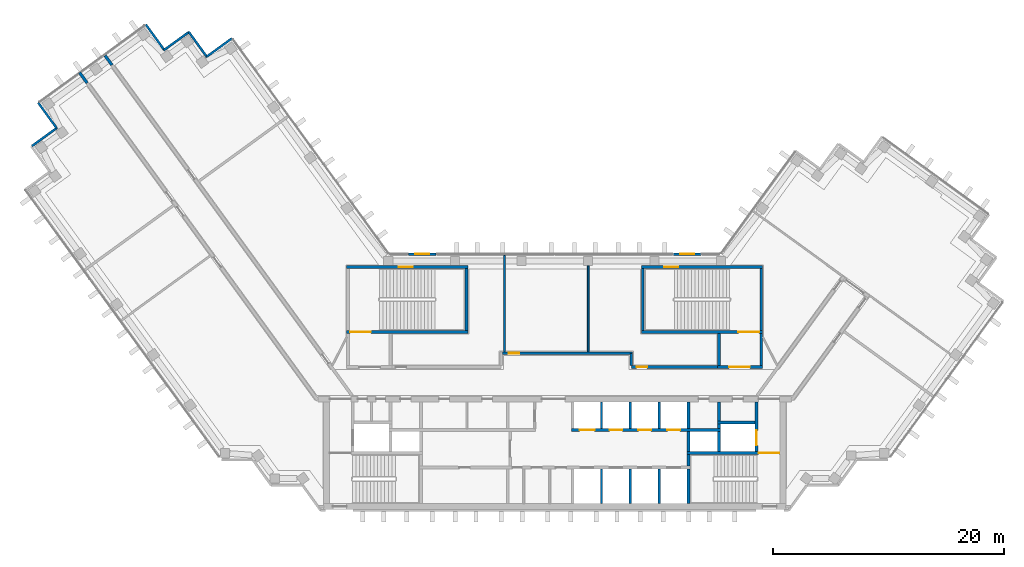
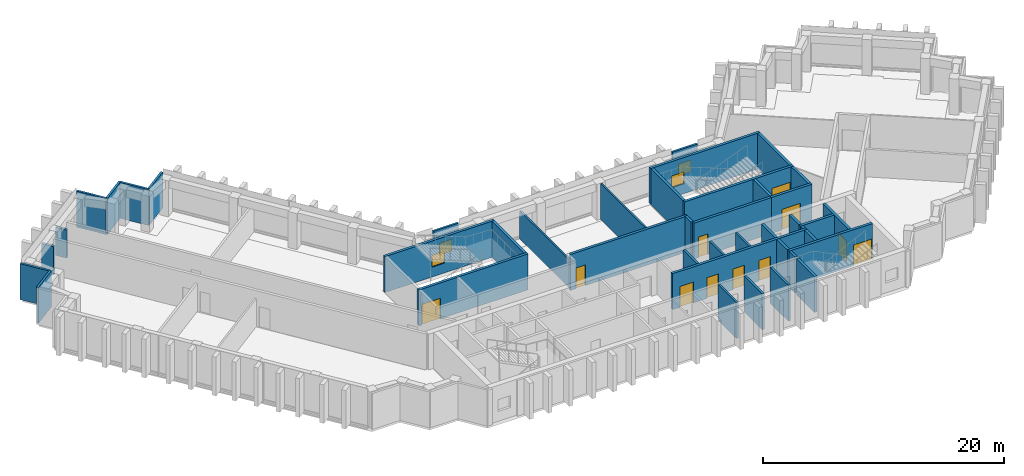
# One storey, part 6 of 9: 42 walls, 11 doors, 4 windows, 15 openings.
"""IFC4 building model written with IfcOpenShell, lengths in metres."""

from ifc_helpers import new_model, si_unit, direction, frame, frame_2d, origin, place, context, subcontext, project, spatial, rectangle, extrude, material, layer, layer_set, type_object, element, fill, save


model = new_model("IFC4")

# Units and contexts
model_context = context("Model", 3, precision=1e-05, world=origin(), true_north=direction((0.0, 1.0)))
body_context = subcontext(model_context, "Body", "Model", "MODEL_VIEW")
ifc_project = project(units=[si_unit("LENGTHUNIT", "METRE"), si_unit("AREAUNIT", "SQUARE_METRE"), si_unit("VOLUMEUNIT", "CUBIC_METRE"), si_unit("PLANEANGLEUNIT", "RADIAN"), si_unit("MASSUNIT", "GRAM", prefix="KILO")], contexts=[model_context])

# Site, building, storey
site_placement = place(None, origin())
site = spatial("IfcSite", under=ifc_project, at=site_placement, CompositionType="ELEMENT")
building_placement = place(site_placement, origin())
building = spatial("IfcBuilding", under=site, at=building_placement, Name="Quipu Civic Tower", CompositionType="ELEMENT")
storey_placement = place(building_placement, frame((0.0, 0.0, 230.0)))
storey = spatial("IfcBuildingStorey", under=building, at=storey_placement, Name="L54", CompositionType="ELEMENT", Elevation=230.0)

# Walls
ifc_material_1 = material(Name="Double gypsum plasterboard with mineral wool")
ifc_layer_1 = layer(ifc_material_1, 0.14990234375)
ifc_layer_set_1 = layer_set([ifc_layer_1], Name="Double gypsum plasterboard with mineral wool")
wall_type_1 = type_object("IfcWallType", Name="Acoustic partition 150 plasterboard", PredefinedType="PARTITIONING", material=ifc_layer_set_1)
wall_1_placement = place(storey_placement, frame((-4.339111328125, 2.64990234375, 0.0), z_axis=(0.0, 0.0, 1.0), x_axis=(0.0, 1.0, 0.0)))
element("IfcWall", 1, at=wall_1_placement, inside=storey, type_object=wall_type_1, Name="Partition P03", PredefinedType="PARTITIONING", context=body_context, shape_type="SweptSolid", body=[
    extrude(rectangle(XDim=8.35009765625, YDim=0.14990234375, at=frame_2d((4.175048828125, 0.0))), origin(), (0.0, 0.0, 1.0), 2.85009765625),
])
wall_2_placement = place(storey_placement, frame((2.89892578125, 10.094970703125, 0.0), z_axis=(0.0, 0.0, 1.0), x_axis=(0.0, -1.0, 0.0)))
element("IfcWall", 2, at=wall_2_placement, inside=storey, type_object=wall_type_1, Name="Partition P04", PredefinedType="PARTITIONING", context=body_context, shape_type="SweptSolid", body=[
    extrude(rectangle(XDim=7.445068359375, YDim=0.14990234375, at=frame_2d((3.72265625, 0.0))), origin(), (0.0, 0.0, 1.0), 3.64990234375),
])
ifc_material_2 = material(Name="Concrete C70/85", Category="concrete")
ifc_layer_2 = layer(ifc_material_2, 0.25)
ifc_layer_set_2 = layer_set([ifc_layer_2], Name="Concrete C70/85")
wall_type_2 = type_object("IfcWallType", Name="Core wall 250", PredefinedType="SHEAR", material=ifc_layer_set_2)
wall_3_placement = place(storey_placement, frame((11.574951171875, -10.5, 0.0), z_axis=(0.0, 0.0, 1.0), x_axis=(0.0, 1.0, 0.0)))
element("IfcWall", 3, at=wall_3_placement, inside=storey, type_object=wall_type_2, Name="Core wall", PredefinedType="SHEAR", context=body_context, shape_type="SweptSolid", body=[
    extrude(rectangle(XDim=3.0, YDim=0.25, at=frame_2d((1.5, 0.0))), origin(), (0.0, 0.0, 1.0), 3.64990234375),
])
wall_4_placement = place(storey_placement, frame((11.574951171875, -7.25, 0.0), z_axis=(0.0, 0.0, 1.0), x_axis=(0.0, 1.0, 0.0)))
element("IfcWall", 4, at=wall_4_placement, inside=storey, type_object=wall_type_2, Name="Core wall", PredefinedType="SHEAR", context=body_context, shape_type="SweptSolid", body=[
    extrude(rectangle(XDim=1.0, YDim=0.25, at=frame_2d((0.5, 0.0))), origin(), (0.0, 0.0, 1.0), 3.64990234375),
])

# Wall, opening, door
wall_5_placement = place(storey_placement, frame((19.5, -6.125, 0.0), z_axis=(0.0, 0.0, 1.0), x_axis=(-1.0, 0.0, 0.0)))
wall_5 = element("IfcWall", 5, at=wall_5_placement, inside=storey, type_object=wall_type_2, Name="Core wall", PredefinedType="SHEAR", context=body_context, shape_type="SweptSolid", body=[
    extrude(rectangle(XDim=8.050048828125, YDim=0.25, at=frame_2d((4.02490234375, 0.0))), origin(), (0.0, 0.0, 1.0), 3.64990234375),
])
opening_1_placement = place(wall_5_placement, frame((0.050048828125, 0.0, 0.0)))
opening_1 = element("IfcOpeningElement", 6, at=opening_1_placement, cuts=wall_5, Name="Opening CD-06", PredefinedType="OPENING", context=body_context, shape_type="SweptSolid", body=[
    extrude(rectangle(XDim=1.800048828125, YDim=2.10009765625, at=frame_2d((0.89990234375, 1.050048828125))), frame((0.0, 0.135009765625, 0.0), z_axis=(0.0, -1.0, 0.0), x_axis=(1.0, 0.0, 0.0)), (0.0, 0.0, 1.0), 0.27001953125),
])
ifc_material_3 = material(Name="Fire rated steel door", Category="steel")
door_type_1 = type_object("IfcDoorType", Name="Fire door FD90 double 1800 x 2100", OperationType="NOTDEFINED", PredefinedType="DOOR", material=ifc_material_3)
door_1_placement = place(opening_1_placement, origin())
door_1 = element("IfcDoor", 7, at=door_1_placement, inside=storey, type_object=door_type_1, Name="Door", OperationType="DOUBLE_DOOR_SINGLE_SWING", OverallHeight=2.10009765625, OverallWidth=1.800048828125, PredefinedType="DOOR", context=body_context, shape_type="SweptSolid", body=[
    extrude(rectangle(XDim=1.800048828125, YDim=2.10009765625, at=frame_2d((0.89990234375, 1.050048828125))), frame((0.0, 0.02490234375, 0.0), z_axis=(0.0, -1.0, 0.0), x_axis=(1.0, 0.0, 0.0)), (0.0, 0.0, 1.0), 0.050048828125),
])
fill(opening_1, door_1)

# Walls
for number, where, z_axis, x_axis, name in (
    (8, (11.574951171875, -6.0, 0.0), (0.0, 0.0, 1.0), (0.0, 1.0, 0.0), "Core wall"),
    (9, (14.22509765625, -6.0, 0.0), (0.0, 0.0, 1.0), (0.0, 1.0, 0.0), "Core wall"),
):
    element("IfcWall", number, at=place(storey_placement, frame(where, z_axis=z_axis, x_axis=x_axis)), inside=storey, type_object=wall_type_2, Name=name, PredefinedType="SHEAR", context=body_context, shape_type="SweptSolid", body=[
        extrude(rectangle(XDim=1.75, YDim=0.25, at=frame_2d((0.875, 0.0))), origin(), (0.0, 0.0, 1.0), 3.64990234375),
    ])

# Wall, opening, door
wall_6_placement = place(storey_placement, frame((17.47509765625, -6.0, 0.0), z_axis=(0.0, 0.0, 1.0), x_axis=(0.0, 1.0, 0.0)))
wall_6 = element("IfcWall", 10, at=wall_6_placement, inside=storey, type_object=wall_type_2, Name="Core wall", PredefinedType="SHEAR", context=body_context, shape_type="SweptSolid", body=[
    extrude(rectangle(XDim=4.300048828125, YDim=0.25, at=frame_2d((2.14990234375, 0.0))), origin(), (0.0, 0.0, 1.0), 3.64990234375),
])
opening_2_placement = place(wall_6_placement, frame((0.550048828125, 0.0, 0.0)))
opening_2 = element("IfcOpeningElement", 11, at=opening_2_placement, cuts=wall_6, Name="Opening LD-FF2", PredefinedType="OPENING", context=body_context, shape_type="SweptSolid", body=[
    extrude(rectangle(XDim=1.300048828125, YDim=2.10009765625, at=frame_2d((0.64990234375, 1.050048828125))), frame((0.0, 0.135009765625, 0.0), z_axis=(0.0, -1.0, 0.0), x_axis=(1.0, 0.0, 0.0)), (0.0, 0.0, 1.0), 0.27001953125),
])
ifc_material_4 = material(Name="Stainless steel", Category="steel")
door_type_2 = type_object("IfcDoorType", Name="Lift landing door 1300 x 2100", OperationType="DOUBLE_DOOR_SLIDING", PredefinedType="DOOR", material=ifc_material_4)
door_2_placement = place(opening_2_placement, origin())
door_2 = element("IfcDoor", 12, at=door_2_placement, inside=storey, type_object=door_type_2, Name="Landing door FF2", OperationType="DOUBLE_DOOR_SLIDING", OverallHeight=2.10009765625, OverallWidth=1.300048828125, PredefinedType="DOOR", context=body_context, shape_type="SweptSolid", body=[
    extrude(rectangle(XDim=1.300048828125, YDim=2.10009765625, at=frame_2d((0.64990234375, 1.050048828125))), frame((0.0, 0.02490234375, 0.0), z_axis=(0.0, -1.0, 0.0), x_axis=(1.0, 0.0, 0.0)), (0.0, 0.0, 1.0), 0.050048828125),
])
fill(opening_2, door_2)

# Wall, openings, doors
wall_7_placement = place(storey_placement, frame((1.449951171875, -4.125, 0.0), z_axis=(0.0, 0.0, 1.0), x_axis=(1.0, 0.0, 0.0)))
wall_7 = element("IfcWall", 13, at=wall_7_placement, inside=storey, type_object=wall_type_2, Name="Core wall", PredefinedType="SHEAR", context=body_context, shape_type="SweptSolid", body=[
    extrude(rectangle(XDim=12.900146484375, YDim=0.25, at=frame_2d((6.4501953125, 0.0))), origin(), (0.0, 0.0, 1.0), 3.64990234375),
])
opening_3_placement = place(wall_7_placement, frame((0.699951171875, 0.0, 0.0)))
opening_3 = element("IfcOpeningElement", 14, at=opening_3_placement, cuts=wall_7, Name="Opening LD-FF3", PredefinedType="OPENING", context=body_context, shape_type="SweptSolid", body=[
    extrude(rectangle(XDim=1.300048828125, YDim=2.10009765625, at=frame_2d((0.64990234375, 1.050048828125))), frame((0.0, 0.135009765625, 0.0), z_axis=(0.0, -1.0, 0.0), x_axis=(1.0, 0.0, 0.0)), (0.0, 0.0, 1.0), 0.27001953125),
])
opening_4_placement = place(wall_7_placement, frame((3.300048828125, 0.0, 0.0)))
opening_4 = element("IfcOpeningElement", 15, at=opening_4_placement, cuts=wall_7, Name="Opening LD-ML5", PredefinedType="OPENING", context=body_context, shape_type="SweptSolid", body=[
    extrude(rectangle(XDim=1.10009765625, YDim=2.10009765625, at=frame_2d((0.550048828125, 1.050048828125))), frame((0.0, 0.135009765625, 0.0), z_axis=(0.0, -1.0, 0.0), x_axis=(1.0, 0.0, 0.0)), (0.0, 0.0, 1.0), 0.27001953125),
])
opening_5_placement = place(wall_7_placement, frame((5.800048828125, 0.0, 0.0)))
opening_5 = element("IfcOpeningElement", 16, at=opening_5_placement, cuts=wall_7, Name="Opening LD-ML6", PredefinedType="OPENING", context=body_context, shape_type="SweptSolid", body=[
    extrude(rectangle(XDim=1.10009765625, YDim=2.10009765625, at=frame_2d((0.550048828125, 1.050048828125))), frame((0.0, 0.135009765625, 0.0), z_axis=(0.0, -1.0, 0.0), x_axis=(1.0, 0.0, 0.0)), (0.0, 0.0, 1.0), 0.27001953125),
])
opening_6_placement = place(wall_7_placement, frame((8.300048828125, 0.0, 0.0)))
opening_6 = element("IfcOpeningElement", 17, at=opening_6_placement, cuts=wall_7, Name="Opening LD-ML7", PredefinedType="OPENING", context=body_context, shape_type="SweptSolid", body=[
    extrude(rectangle(XDim=1.10009765625, YDim=2.10009765625, at=frame_2d((0.550048828125, 1.050048828125))), frame((0.0, 0.135009765625, 0.0), z_axis=(0.0, -1.0, 0.0), x_axis=(1.0, 0.0, 0.0)), (0.0, 0.0, 1.0), 0.27001953125),
])
ifc_material_5 = material(Name="Stainless steel", Category="steel")
door_type_3 = type_object("IfcDoorType", Name="Lift landing door 1100 x 2100", OperationType="DOUBLE_DOOR_SLIDING", PredefinedType="DOOR", material=ifc_material_5)
door_3_placement = place(opening_4_placement, origin())
door_3 = element("IfcDoor", 18, at=door_3_placement, inside=storey, type_object=door_type_3, Name="Landing door ML5", OperationType="DOUBLE_DOOR_SLIDING", OverallHeight=2.10009765625, OverallWidth=1.10009765625, PredefinedType="DOOR", context=body_context, shape_type="SweptSolid", body=[
    extrude(rectangle(XDim=1.10009765625, YDim=2.10009765625, at=frame_2d((0.550048828125, 1.050048828125))), frame((0.0, 0.02490234375, 0.0), z_axis=(0.0, -1.0, 0.0), x_axis=(1.0, 0.0, 0.0)), (0.0, 0.0, 1.0), 0.050048828125),
])
fill(opening_4, door_3)
door_4_placement = place(opening_5_placement, origin())
door_4 = element("IfcDoor", 19, at=door_4_placement, inside=storey, type_object=door_type_3, Name="Landing door ML6", OperationType="DOUBLE_DOOR_SLIDING", OverallHeight=2.10009765625, OverallWidth=1.10009765625, PredefinedType="DOOR", context=body_context, shape_type="SweptSolid", body=[
    extrude(rectangle(XDim=1.10009765625, YDim=2.10009765625, at=frame_2d((0.550048828125, 1.050048828125))), frame((0.0, 0.02490234375, 0.0), z_axis=(0.0, -1.0, 0.0), x_axis=(1.0, 0.0, 0.0)), (0.0, 0.0, 1.0), 0.050048828125),
])
fill(opening_5, door_4)
door_5_placement = place(opening_6_placement, origin())
door_5 = element("IfcDoor", 20, at=door_5_placement, inside=storey, type_object=door_type_3, Name="Landing door ML7", OperationType="DOUBLE_DOOR_SLIDING", OverallHeight=2.10009765625, OverallWidth=1.10009765625, PredefinedType="DOOR", context=body_context, shape_type="SweptSolid", body=[
    extrude(rectangle(XDim=1.10009765625, YDim=2.10009765625, at=frame_2d((0.550048828125, 1.050048828125))), frame((0.0, 0.02490234375, 0.0), z_axis=(0.0, -1.0, 0.0), x_axis=(1.0, 0.0, 0.0)), (0.0, 0.0, 1.0), 0.050048828125),
])
fill(opening_6, door_5)
door_6_placement = place(opening_3_placement, origin())
door_6 = element("IfcDoor", 21, at=door_6_placement, inside=storey, type_object=door_type_2, Name="Landing door FF3", OperationType="DOUBLE_DOOR_SLIDING", OverallHeight=2.10009765625, OverallWidth=1.300048828125, PredefinedType="DOOR", context=body_context, shape_type="SweptSolid", body=[
    extrude(rectangle(XDim=1.300048828125, YDim=2.10009765625, at=frame_2d((0.64990234375, 1.050048828125))), frame((0.0, 0.02490234375, 0.0), z_axis=(0.0, -1.0, 0.0), x_axis=(1.0, 0.0, 0.0)), (0.0, 0.0, 1.0), 0.050048828125),
])
fill(opening_3, door_6)

# Walls
wall_8_placement = place(storey_placement, frame((11.574951171875, -4.0, 0.0), z_axis=(0.0, 0.0, 1.0), x_axis=(0.0, 1.0, 0.0)))
element("IfcWall", 22, at=wall_8_placement, inside=storey, type_object=wall_type_2, Name="Core wall", PredefinedType="SHEAR", context=body_context, shape_type="SweptSolid", body=[
    extrude(rectangle(XDim=2.300048828125, YDim=0.25, at=frame_2d((1.14990234375, 0.0))), origin(), (0.0, 0.0, 1.0), 3.64990234375),
])
wall_9_placement = place(storey_placement, frame((14.22509765625, -4.0, 0.0), z_axis=(0.0, 0.0, 1.0), x_axis=(0.0, 1.0, 0.0)))
element("IfcWall", 23, at=wall_9_placement, inside=storey, type_object=wall_type_2, Name="Core wall", PredefinedType="SHEAR", context=body_context, shape_type="SweptSolid", body=[
    extrude(rectangle(XDim=0.39990234375, YDim=0.25, at=frame_2d((0.199951171875, 0.0))), origin(), (0.0, 0.0, 1.0), 3.64990234375),
])
wall_10_placement = place(storey_placement, frame((14.10009765625, -3.47509765625, 0.0), z_axis=(0.0, 0.0, 1.0), x_axis=(1.0, 0.0, 0.0)))
element("IfcWall", 24, at=wall_10_placement, inside=storey, type_object=wall_type_2, Name="Core wall", PredefinedType="SHEAR", context=body_context, shape_type="SweptSolid", body=[
    extrude(rectangle(XDim=3.25, YDim=0.25, at=frame_2d((1.625, 0.0))), origin(), (0.0, 0.0, 1.0), 3.64990234375),
])
wall_11_placement = place(storey_placement, frame((14.22509765625, -3.35009765625, 0.0), z_axis=(0.0, 0.0, 1.0), x_axis=(0.0, 1.0, 0.0)))
element("IfcWall", 25, at=wall_11_placement, inside=storey, type_object=wall_type_2, Name="Core wall", PredefinedType="SHEAR", context=body_context, shape_type="SweptSolid", body=[
    extrude(rectangle(XDim=1.650146484375, YDim=0.25, at=frame_2d((0.8251953125, 0.0))), origin(), (0.0, 0.0, 1.0), 3.64990234375),
])

# Wall, opening, door
wall_12_placement = place(storey_placement, frame((-18.0, 4.375, 0.0), z_axis=(0.0, 0.0, 1.0), x_axis=(1.0, 0.0, 0.0)))
wall_12 = element("IfcWall", 26, at=wall_12_placement, inside=storey, type_object=wall_type_2, Name="Core wall", PredefinedType="SHEAR", context=body_context, shape_type="SweptSolid", body=[
    extrude(rectangle(XDim=10.5, YDim=0.25, at=frame_2d((5.25, 0.0))), origin(), (0.0, 0.0, 1.0), 3.64990234375),
])
opening_7_placement = place(wall_12_placement, frame((0.300048828125, 0.0, 0.0)))
opening_7 = element("IfcOpeningElement", 27, at=opening_7_placement, cuts=wall_12, Name="Opening CD-20", PredefinedType="OPENING", context=body_context, shape_type="SweptSolid", body=[
    extrude(rectangle(XDim=1.800048828125, YDim=2.10009765625, at=frame_2d((0.89990234375, 1.050048828125))), frame((0.0, 0.135009765625, 0.0), z_axis=(0.0, -1.0, 0.0), x_axis=(1.0, 0.0, 0.0)), (0.0, 0.0, 1.0), 0.27001953125),
])
door_7_placement = place(opening_7_placement, origin())
door_7 = element("IfcDoor", 28, at=door_7_placement, inside=storey, type_object=door_type_1, Name="Door", OperationType="DOUBLE_DOOR_SINGLE_SWING", OverallHeight=2.10009765625, OverallWidth=1.800048828125, PredefinedType="DOOR", context=body_context, shape_type="SweptSolid", body=[
    extrude(rectangle(XDim=1.800048828125, YDim=2.10009765625, at=frame_2d((0.89990234375, 1.050048828125))), frame((0.0, 0.02490234375, 0.0), z_axis=(0.0, -1.0, 0.0), x_axis=(1.0, 0.0, 0.0)), (0.0, 0.0, 1.0), 0.050048828125),
])
fill(opening_7, door_7)

# Wall
wall_13_placement = place(storey_placement, frame((-7.625, 4.5, 0.0), z_axis=(0.0, 0.0, 1.0), x_axis=(0.0, 1.0, 0.0)))
element("IfcWall", 29, at=wall_13_placement, inside=storey, type_object=wall_type_2, Name="Core wall", PredefinedType="SHEAR", context=body_context, shape_type="SweptSolid", body=[
    extrude(rectangle(XDim=5.35009765625, YDim=0.25, at=frame_2d((2.675048828125, 0.0))), origin(), (0.0, 0.0, 1.0), 3.64990234375),
])

# Wall, opening, window
wall_14_placement = place(storey_placement, frame((-18.0, 9.97509765625, 0.0), z_axis=(0.0, 0.0, 1.0), x_axis=(1.0, 0.0, 0.0)))
wall_14 = element("IfcWall", 30, at=wall_14_placement, inside=storey, type_object=wall_type_2, Name="Core wall", PredefinedType="SHEAR", context=body_context, shape_type="SweptSolid", body=[
    extrude(rectangle(XDim=10.5, YDim=0.25, at=frame_2d((5.25, 0.0))), origin(), (0.0, 0.0, 1.0), 3.64990234375),
])
opening_8_placement = place(wall_14_placement, frame((4.5, 0.0, 1.0)))
opening_8 = element("IfcOpeningElement", 31, at=opening_8_placement, cuts=wall_14, Name="Opening SV-3", PredefinedType="OPENING", context=body_context, shape_type="SweptSolid", body=[
    extrude(rectangle(XDim=1.199951171875, YDim=1.199951171875, at=frame_2d((0.60009765625, 0.60009765625))), frame((0.0, 0.135009765625, 0.0), z_axis=(0.0, -1.0, 0.0), x_axis=(1.0, 0.0, 0.0)), (0.0, 0.0, 1.0), 0.27001953125),
])
ifc_material_6 = material(Name="Aluminium louvre", Category="aluminium")
window_type_1 = type_object("IfcWindowType", Name="Stair ventilation louvre 1200 x 1200", PartitioningType="SINGLE_PANEL", PredefinedType="WINDOW", material=ifc_material_6)
window_1_placement = place(opening_8_placement, origin())
window_1 = element("IfcWindow", 32, at=window_1_placement, inside=storey, type_object=window_type_1, Name="Stair ventilation opening", OverallHeight=1.199951171875, OverallWidth=1.199951171875, PartitioningType="SINGLE_PANEL", PredefinedType="WINDOW", context=body_context, shape_type="SweptSolid", body=[
    extrude(rectangle(XDim=1.199951171875, YDim=1.199951171875, at=frame_2d((0.60009765625, 0.60009765625))), frame((0.0, 0.030029296875, 0.0), z_axis=(0.0, -1.0, 0.0), x_axis=(1.0, 0.0, 0.0)), (0.0, 0.0, 1.0), 0.06005859375),
])
fill(opening_8, window_1)

# Wall, opening, door
wall_15_placement = place(storey_placement, frame((14.10009765625, 1.324951171875, 0.0), z_axis=(0.0, 0.0, 1.0), x_axis=(1.0, 0.0, 0.0)))
wall_15 = element("IfcWall", 33, at=wall_15_placement, inside=storey, type_object=wall_type_2, Name="Core wall", PredefinedType="SHEAR", context=body_context, shape_type="SweptSolid", body=[
    extrude(rectangle(XDim=3.89990234375, YDim=0.25, at=frame_2d((1.949951171875, 0.0))), origin(), (0.0, 0.0, 1.0), 3.64990234375),
])
opening_9_placement = place(wall_15_placement, frame((1.0, 0.0, 0.0)))
opening_9 = element("IfcOpeningElement", 34, at=opening_9_placement, cuts=wall_15, Name="Opening CD-21", PredefinedType="OPENING", context=body_context, shape_type="SweptSolid", body=[
    extrude(rectangle(XDim=1.800048828125, YDim=2.10009765625, at=frame_2d((0.89990234375, 1.050048828125))), frame((0.0, 0.135009765625, 0.0), z_axis=(0.0, -1.0, 0.0), x_axis=(1.0, 0.0, 0.0)), (0.0, 0.0, 1.0), 0.27001953125),
])
door_8_placement = place(opening_9_placement, origin())
door_8 = element("IfcDoor", 35, at=door_8_placement, inside=storey, type_object=door_type_1, Name="Lobby door", OperationType="DOUBLE_DOOR_SINGLE_SWING", OverallHeight=2.10009765625, OverallWidth=1.800048828125, PredefinedType="DOOR", context=body_context, shape_type="SweptSolid", body=[
    extrude(rectangle(XDim=1.800048828125, YDim=2.10009765625, at=frame_2d((0.89990234375, 1.050048828125))), frame((0.0, 0.02490234375, 0.0), z_axis=(0.0, -1.0, 0.0), x_axis=(1.0, 0.0, 0.0)), (0.0, 0.0, 1.0), 0.050048828125),
])
fill(opening_9, door_8)

# Walls
for number, where, z_axis, x_axis, name in (
    (36, (14.22509765625, 1.449951171875, 0.0), (0.0, 0.0, 1.0), (0.0, 1.0, 0.0), "Core wall"),
    (37, (17.875, 1.449951171875, 0.0), (0.0, 0.0, 1.0), (0.0, 1.0, 0.0), "Core wall"),
):
    element("IfcWall", number, at=place(storey_placement, frame(where, z_axis=z_axis, x_axis=x_axis)), inside=storey, type_object=wall_type_2, Name=name, PredefinedType="SHEAR", context=body_context, shape_type="SweptSolid", body=[
        extrude(rectangle(XDim=2.800048828125, YDim=0.25, at=frame_2d((1.39990234375, 0.0))), origin(), (0.0, 0.0, 1.0), 3.64990234375),
    ])

# Wall, opening, door
wall_16_placement = place(storey_placement, frame((7.5, 4.375, 0.0), z_axis=(0.0, 0.0, 1.0), x_axis=(1.0, 0.0, 0.0)))
wall_16 = element("IfcWall", 38, at=wall_16_placement, inside=storey, type_object=wall_type_2, Name="Core wall", PredefinedType="SHEAR", context=body_context, shape_type="SweptSolid", body=[
    extrude(rectangle(XDim=10.5, YDim=0.25, at=frame_2d((5.25, 0.0))), origin(), (0.0, 0.0, 1.0), 3.64990234375),
])
opening_10_placement = place(wall_16_placement, frame((8.39990234375, 0.0, 0.0)))
opening_10 = element("IfcOpeningElement", 39, at=opening_10_placement, cuts=wall_16, Name="Opening CD-22", PredefinedType="OPENING", context=body_context, shape_type="SweptSolid", body=[
    extrude(rectangle(XDim=1.800048828125, YDim=2.10009765625, at=frame_2d((0.89990234375, 1.050048828125))), frame((0.0, 0.135009765625, 0.0), z_axis=(0.0, -1.0, 0.0), x_axis=(1.0, 0.0, 0.0)), (0.0, 0.0, 1.0), 0.27001953125),
])
door_9_placement = place(opening_10_placement, origin())
door_9 = element("IfcDoor", 40, at=door_9_placement, inside=storey, type_object=door_type_1, Name="Door", OperationType="DOUBLE_DOOR_SINGLE_SWING", OverallHeight=2.10009765625, OverallWidth=1.800048828125, PredefinedType="DOOR", context=body_context, shape_type="SweptSolid", body=[
    extrude(rectangle(XDim=1.800048828125, YDim=2.10009765625, at=frame_2d((0.89990234375, 1.050048828125))), frame((0.0, 0.02490234375, 0.0), z_axis=(0.0, -1.0, 0.0), x_axis=(1.0, 0.0, 0.0)), (0.0, 0.0, 1.0), 0.050048828125),
])
fill(opening_10, door_9)

# Walls
for number, where, z_axis, x_axis, name in (
    (41, (7.625, 4.5, 0.0), (0.0, 0.0, 1.0), (0.0, 1.0, 0.0), "Core wall"),
    (42, (17.875, 4.5, 0.0), (0.0, 0.0, 1.0), (0.0, 1.0, 0.0), "Core wall"),
):
    element("IfcWall", number, at=place(storey_placement, frame(where, z_axis=z_axis, x_axis=x_axis)), inside=storey, type_object=wall_type_2, Name=name, PredefinedType="SHEAR", context=body_context, shape_type="SweptSolid", body=[
        extrude(rectangle(XDim=5.35009765625, YDim=0.25, at=frame_2d((2.675048828125, 0.0))), origin(), (0.0, 0.0, 1.0), 3.64990234375),
    ])

# Wall, opening, window
wall_17_placement = place(storey_placement, frame((7.5, 9.97509765625, 0.0), z_axis=(0.0, 0.0, 1.0), x_axis=(1.0, 0.0, 0.0)))
wall_17 = element("IfcWall", 43, at=wall_17_placement, inside=storey, type_object=wall_type_2, Name="Core wall", PredefinedType="SHEAR", context=body_context, shape_type="SweptSolid", body=[
    extrude(rectangle(XDim=10.5, YDim=0.25, at=frame_2d((5.25, 0.0))), origin(), (0.0, 0.0, 1.0), 3.64990234375),
])
opening_11_placement = place(wall_17_placement, frame((2.0, 0.0, 1.0)))
opening_11 = element("IfcOpeningElement", 44, at=opening_11_placement, cuts=wall_17, Name="Opening SV-4", PredefinedType="OPENING", context=body_context, shape_type="SweptSolid", body=[
    extrude(rectangle(XDim=1.199951171875, YDim=1.199951171875, at=frame_2d((0.60009765625, 0.60009765625))), frame((0.0, 0.135009765625, 0.0), z_axis=(0.0, -1.0, 0.0), x_axis=(1.0, 0.0, 0.0)), (0.0, 0.0, 1.0), 0.27001953125),
])
window_2_placement = place(opening_11_placement, origin())
window_2 = element("IfcWindow", 45, at=window_2_placement, inside=storey, type_object=window_type_1, Name="Stair ventilation opening", OverallHeight=1.199951171875, OverallWidth=1.199951171875, PartitioningType="SINGLE_PANEL", PredefinedType="WINDOW", context=body_context, shape_type="SweptSolid", body=[
    extrude(rectangle(XDim=1.199951171875, YDim=1.199951171875, at=frame_2d((0.60009765625, 0.60009765625))), frame((0.0, 0.030029296875, 0.0), z_axis=(0.0, -1.0, 0.0), x_axis=(1.0, 0.0, 0.0)), (0.0, 0.0, 1.0), 0.06005859375),
])
fill(opening_11, window_2)

# Wall, opening, door
ifc_material_7 = material(Name="Concrete C50/60", Category="concrete")
ifc_layer_3 = layer(ifc_material_7, 0.25)
ifc_layer_set_3 = layer_set([ifc_layer_3], Name="Concrete C50/60")
wall_type_3 = type_object("IfcWallType", Name="Corridor wall 250 concrete", PredefinedType="SOLIDWALL", material=ifc_layer_set_3)
wall_18_placement = place(storey_placement, frame((6.65869140625, 1.324951171875, 0.0), z_axis=(0.0, 0.0, 1.0), x_axis=(1.0, 0.0, 0.0)))
wall_18 = element("IfcWall", 46, at=wall_18_placement, inside=storey, type_object=wall_type_3, Name="Corridor wall C01", PredefinedType="SOLIDWALL", context=body_context, shape_type="SweptSolid", body=[
    extrude(rectangle(XDim=7.431396484375, YDim=0.25, at=frame_2d((3.7158203125, 0.0))), origin(), (0.0, 0.0, 1.0), 3.64990234375),
])
opening_12_placement = place(wall_18_placement, frame((0.44140625, 0.0, 0.0)))
opening_12 = element("IfcOpeningElement", 47, at=opening_12_placement, cuts=wall_18, Name="Opening D007", PredefinedType="OPENING", context=body_context, shape_type="SweptSolid", body=[
    extrude(rectangle(XDim=0.89990234375, YDim=2.10009765625, at=frame_2d((0.449951171875, 1.050048828125))), frame((0.0, 0.135009765625, 0.0), z_axis=(0.0, -1.0, 0.0), x_axis=(1.0, 0.0, 0.0)), (0.0, 0.0, 1.0), 0.27001953125),
])
ifc_material_8 = material(Name="Fire rated timber door set with metal frame", Category="wood")
door_type_4 = type_object("IfcDoorType", Name="Single door 900 x 2100 FD60", OperationType="NOTDEFINED", PredefinedType="DOOR", material=ifc_material_8)
door_10_placement = place(opening_12_placement, origin())
door_10 = element("IfcDoor", 48, at=door_10_placement, inside=storey, type_object=door_type_4, Name="Door D007", OperationType="SINGLE_SWING_LEFT", OverallHeight=2.10009765625, OverallWidth=0.89990234375, PredefinedType="DOOR", context=body_context, shape_type="SweptSolid", body=[
    extrude(rectangle(XDim=0.89990234375, YDim=2.10009765625, at=frame_2d((0.449951171875, 1.050048828125))), frame((0.0, 0.02490234375, 0.0), z_axis=(0.0, -1.0, 0.0), x_axis=(1.0, 0.0, 0.0)), (0.0, 0.0, 1.0), 0.050048828125),
])
fill(opening_12, door_10)

wall_19_placement = place(storey_placement, frame((-4.5, 2.52490234375, 0.0), z_axis=(0.0, 0.0, 1.0), x_axis=(1.0, 0.0, 0.0)))
wall_19 = element("IfcWall", 49, at=wall_19_placement, inside=storey, type_object=wall_type_3, Name="Corridor wall C09", PredefinedType="SOLIDWALL", context=body_context, shape_type="SweptSolid", body=[
    extrude(rectangle(XDim=11.25, YDim=0.25, at=frame_2d((5.625, 0.0))), origin(), (0.0, 0.0, 1.0), 3.64990234375),
])
opening_13_placement = place(wall_19_placement, frame((0.531005859375, 0.0, 0.0)))
opening_13 = element("IfcOpeningElement", 50, at=opening_13_placement, cuts=wall_19, Name="Opening D006", PredefinedType="OPENING", context=body_context, shape_type="SweptSolid", body=[
    extrude(rectangle(XDim=0.89990234375, YDim=2.10009765625, at=frame_2d((0.449951171875, 1.050048828125))), frame((0.0, 0.135009765625, 0.0), z_axis=(0.0, -1.0, 0.0), x_axis=(1.0, 0.0, 0.0)), (0.0, 0.0, 1.0), 0.27001953125),
])
door_11_placement = place(opening_13_placement, origin())
door_11 = element("IfcDoor", 51, at=door_11_placement, inside=storey, type_object=door_type_4, Name="Door D006", OperationType="SINGLE_SWING_LEFT", OverallHeight=2.10009765625, OverallWidth=0.89990234375, PredefinedType="DOOR", context=body_context, shape_type="SweptSolid", body=[
    extrude(rectangle(XDim=0.89990234375, YDim=2.10009765625, at=frame_2d((0.449951171875, 1.050048828125))), frame((0.0, 0.02490234375, 0.0), z_axis=(0.0, -1.0, 0.0), x_axis=(1.0, 0.0, 0.0)), (0.0, 0.0, 1.0), 0.050048828125),
])
fill(opening_13, door_11)

# Walls
wall_20_placement = place(storey_placement, frame((6.625, 2.483642578125, 0.0), z_axis=(0.0, 0.0, 1.0), x_axis=(0.0, -1.0, 0.0)))
element("IfcWall", 52, at=wall_20_placement, inside=storey, type_object=wall_type_3, Name="Corridor wall C10", PredefinedType="SOLIDWALL", context=body_context, shape_type="SweptSolid", body=[
    extrude(rectangle(XDim=1.030029296875, YDim=0.25, at=frame_2d((0.51513671875, 0.0))), origin(), (0.0, 0.0, 1.0), 3.64990234375),
])
wall_21_placement = place(storey_placement, frame((-40.46337890625, 25.911376953125, 0.0), z_axis=(0.0, 0.0, 1.0), x_axis=(-0.587792454268, 0.809011761785, 0.0)))
element("IfcWall", 53, at=wall_21_placement, inside=storey, type_object=wall_type_3, Name="Corridor wall C05", PredefinedType="SOLIDWALL", context=body_context, shape_type="SweptSolid", body=[
    extrude(rectangle(XDim=1.1103515625, YDim=0.25, at=frame_2d((0.55517578125, 0.0))), origin(), (0.0, 0.0, 1.0), 2.85009765625),
])
wall_22_placement = place(storey_placement, frame((-38.31982421875, 27.46923828125, 0.0), z_axis=(0.0, 0.0, 1.0), x_axis=(-0.587811913486, 0.808997623213, 0.0)))
element("IfcWall", 54, at=wall_22_placement, inside=storey, type_object=wall_type_3, Name="Corridor wall C06", PredefinedType="SOLIDWALL", context=body_context, shape_type="SweptSolid", body=[
    extrude(rectangle(XDim=1.0087890625, YDim=0.25, at=frame_2d((0.50439453125, 0.0))), origin(), (0.0, 0.0, 1.0), 2.85009765625),
])
ifc_material_9 = material(Name="Precast concrete C40/50", Category="concrete")
wall_type_4 = type_object("IfcWallType", Name="Precast cladding wall", PredefinedType="SOLIDWALL", material=ifc_material_9)
for number, where, z_axis, x_axis, name in (
    (55, (-27.92138671875, 29.787109375, 0.0), (0.0, 0.0, 1.0), (-0.809033161865, -0.587762999008, 0.0), "Precast cladding wall L54 2"),
    (56, (-30.08349609375, 28.149169921875, 0.0), (0.0, 0.0, 1.0), (-0.587762999008, 0.809033161865, 0.0), "Precast cladding wall L54 3"),
    (57, (-31.653564453125, 30.330810546875, 0.0), (0.0, 0.0, 1.0), (-0.809033161865, -0.587762999008, 0.0), "Precast cladding wall L54 4"),
    (58, (-33.80078125, 28.785888671875, 0.0), (0.0, 0.0, 1.0), (-0.587762999008, 0.809033161865, 0.0), "Precast cladding wall L54 5"),
    (59, (-44.699462890625, 24.20458984375, 0.0), (0.0, 0.0, 1.0), (0.587762999008, -0.809033161865, 0.0), "Precast cladding wall L54 7"),
    (60, (-43.060791015625, 22.04296875, 0.0), (0.0, 0.0, 1.0), (-0.809033161865, -0.587762999008, 0.0), "Precast cladding wall L54 8"),
):
    element("IfcWall", number, at=place(storey_placement, frame(where, z_axis=z_axis, x_axis=x_axis)), inside=storey, type_object=wall_type_4, Name=name, PredefinedType="SOLIDWALL", context=body_context, shape_type="SweptSolid", body=[
        extrude(rectangle(XDim=2.699951171875, YDim=0.199951171875, at=frame_2d((1.35009765625, 0.0))), origin(), (0.0, 0.0, 1.0), 3.64990234375),
    ])

# Wall, opening, window
wall_23_placement = place(storey_placement, frame((12.655029296875, 11.10009765625, 0.0), z_axis=(0.0, 0.0, 1.0), x_axis=(-1.0, 0.0, 0.0)))
wall_23 = element("IfcWall", 61, at=wall_23_placement, inside=storey, type_object=wall_type_4, Name="Vent surround SF-L54-2", PredefinedType="SOLIDWALL", context=body_context, shape_type="SweptSolid", body=[
    extrude(rectangle(XDim=2.3916015625, YDim=0.199951171875, at=frame_2d((1.19580078125, 0.0))), origin(), (0.0, 0.0, 1.0), 3.64990234375),
])
opening_14_placement = place(wall_23_placement, frame((0.595703125, 0.0, 1.0)))
opening_14 = element("IfcOpeningElement", 62, at=opening_14_placement, cuts=wall_23, Name="Opening SF-L54-2", PredefinedType="OPENING", context=body_context, shape_type="SweptSolid", body=[
    extrude(rectangle(XDim=1.199951171875, YDim=1.199951171875, at=frame_2d((0.60009765625, 0.60009765625))), frame((0.0, 0.10986328125, 0.0), z_axis=(0.0, -1.0, 0.0), x_axis=(1.0, 0.0, 0.0)), (0.0, 0.0, 1.0), 0.219970703125),
])
ifc_material_10 = material(Name="Anodised aluminium louvre", Category="aluminium")
window_type_2 = type_object("IfcWindowType", Name="Stair vent louvre window P3", PartitioningType="SINGLE_PANEL", PredefinedType="WINDOW", material=ifc_material_10)
window_3_placement = place(opening_14_placement, origin())
window_3 = element("IfcWindow", 63, at=window_3_placement, inside=storey, type_object=window_type_2, Name="Stair vent louvre SF-L54-2", OverallHeight=1.199951171875, OverallWidth=1.199951171875, PartitioningType="SINGLE_PANEL", PredefinedType="WINDOW", context=body_context, shape_type="SweptSolid", body=[
    extrude(rectangle(XDim=1.199951171875, YDim=1.199951171875, at=frame_2d((0.60009765625, 0.60009765625))), frame((0.0, 0.030029296875, 0.0), z_axis=(0.0, -1.0, 0.0), x_axis=(1.0, 0.0, 0.0)), (0.0, 0.0, 1.0), 0.06005859375),
])
fill(opening_14, window_3)

wall_24_placement = place(storey_placement, frame((-10.263427734375, 11.10009765625, 0.0), z_axis=(0.0, 0.0, 1.0), x_axis=(-1.0, 0.0, 0.0)))
wall_24 = element("IfcWall", 64, at=wall_24_placement, inside=storey, type_object=wall_type_4, Name="Vent surround SF-L54-1", PredefinedType="SOLIDWALL", context=body_context, shape_type="SweptSolid", body=[
    extrude(rectangle(XDim=2.3916015625, YDim=0.199951171875, at=frame_2d((1.19580078125, 0.0))), origin(), (0.0, 0.0, 1.0), 3.64990234375),
])
opening_15_placement = place(wall_24_placement, frame((0.595703125, 0.0, 1.0)))
opening_15 = element("IfcOpeningElement", 65, at=opening_15_placement, cuts=wall_24, Name="Opening SF-L54-1", PredefinedType="OPENING", context=body_context, shape_type="SweptSolid", body=[
    extrude(rectangle(XDim=1.199951171875, YDim=1.199951171875, at=frame_2d((0.60009765625, 0.60009765625))), frame((0.0, 0.10986328125, 0.0), z_axis=(0.0, -1.0, 0.0), x_axis=(1.0, 0.0, 0.0)), (0.0, 0.0, 1.0), 0.219970703125),
])
window_4_placement = place(opening_15_placement, origin())
window_4 = element("IfcWindow", 66, at=window_4_placement, inside=storey, type_object=window_type_2, Name="Stair vent louvre SF-L54-1", OverallHeight=1.199951171875, OverallWidth=1.199951171875, PartitioningType="SINGLE_PANEL", PredefinedType="WINDOW", context=body_context, shape_type="SweptSolid", body=[
    extrude(rectangle(XDim=1.199951171875, YDim=1.199951171875, at=frame_2d((0.60009765625, 0.60009765625))), frame((0.0, 0.030029296875, 0.0), z_axis=(0.0, -1.0, 0.0), x_axis=(1.0, 0.0, 0.0)), (0.0, 0.0, 1.0), 0.06005859375),
])
fill(opening_15, window_4)

# Walls
ifc_material_11 = material(Name="Concrete C40/50", Category="concrete")
ifc_layer_4 = layer(ifc_material_11, 0.199951171875)
ifc_layer_set_4 = layer_set([ifc_layer_4], Name="Concrete C40/50")
wall_type_5 = type_object("IfcWallType", Name="Shaft wall 200", PredefinedType="SOLIDWALL", material=ifc_layer_set_4)
for number, where, z_axis, x_axis, name in (
    (67, (4.050048828125, -10.5, 0.0), (0.0, 0.0, 1.0), (0.0, 1.0, 0.0), "Shaft wall"),
    (68, (6.550048828125, -10.5, 0.0), (0.0, 0.0, 1.0), (0.0, 1.0, 0.0), "Shaft wall"),
    (69, (9.050048828125, -10.5, 0.0), (0.0, 0.0, 1.0), (0.0, 1.0, 0.0), "Shaft wall"),
):
    element("IfcWall", number, at=place(storey_placement, frame(where, z_axis=z_axis, x_axis=x_axis)), inside=storey, type_object=wall_type_5, Name=name, PredefinedType="SOLIDWALL", context=body_context, shape_type="SweptSolid", body=[
        extrude(rectangle(XDim=3.0, YDim=0.199951171875, at=frame_2d((1.5, 0.0))), origin(), (0.0, 0.0, 1.0), 3.64990234375),
    ])
for number, where, z_axis, x_axis, name in (
    (70, (4.050048828125, -4.0, 0.0), (0.0, 0.0, 1.0), (0.0, 1.0, 0.0), "Shaft wall"),
    (71, (6.550048828125, -4.0, 0.0), (0.0, 0.0, 1.0), (0.0, 1.0, 0.0), "Shaft wall"),
    (72, (9.050048828125, -4.0, 0.0), (0.0, 0.0, 1.0), (0.0, 1.0, 0.0), "Shaft wall"),
):
    element("IfcWall", number, at=place(storey_placement, frame(where, z_axis=z_axis, x_axis=x_axis)), inside=storey, type_object=wall_type_5, Name=name, PredefinedType="SOLIDWALL", context=body_context, shape_type="SweptSolid", body=[
        extrude(rectangle(XDim=2.300048828125, YDim=0.199951171875, at=frame_2d((1.14990234375, 0.0))), origin(), (0.0, 0.0, 1.0), 3.64990234375),
    ])

save(model, "model.ifc")
